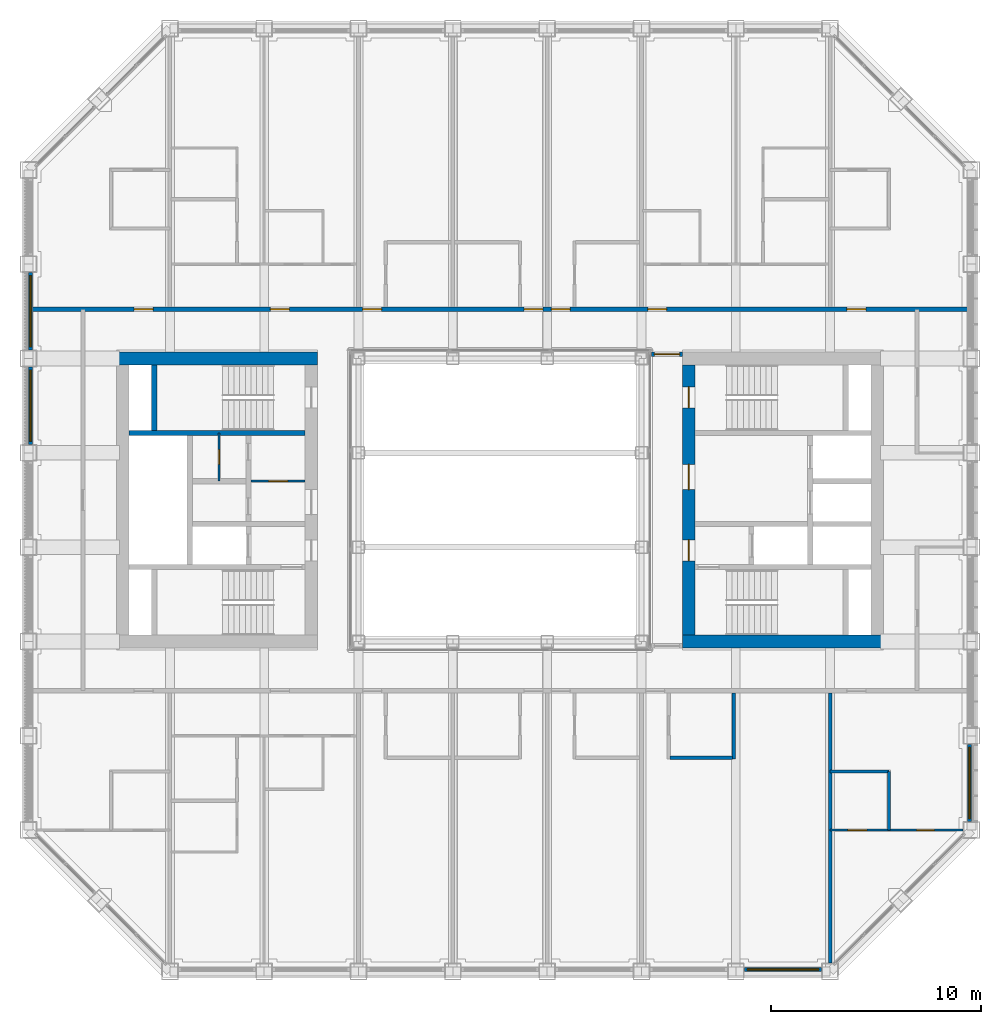
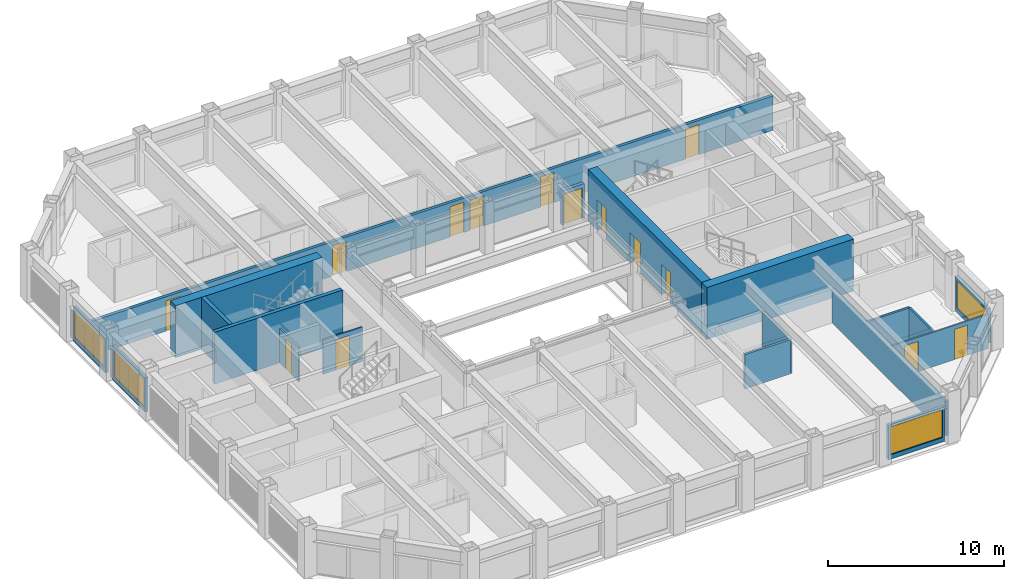
# One storey, part 12 of 18: 19 walls, 15 doors, 4 windows, 19 openings.
"""IFC4 building model written with IfcOpenShell, lengths in metres."""

from ifc_helpers import new_model, si_unit, direction, frame, frame_2d, origin, place, context, subcontext, project, spatial, rectangle, extrude, material, layer, layer_set, type_object, element, fill, save


model = new_model("IFC4")

# Units and contexts
model_context = context("Model", 3, precision=1e-05, world=origin(), true_north=direction((0.0, 1.0)))
body_context = subcontext(model_context, "Body", "Model", "MODEL_VIEW")
ifc_project = project(units=[si_unit("LENGTHUNIT", "METRE"), si_unit("AREAUNIT", "SQUARE_METRE"), si_unit("VOLUMEUNIT", "CUBIC_METRE"), si_unit("PLANEANGLEUNIT", "RADIAN"), si_unit("MASSUNIT", "GRAM", prefix="KILO")], contexts=[model_context])

# Site, building, storey
site_placement = place(None, origin())
site = spatial("IfcSite", under=ifc_project, at=site_placement, CompositionType="ELEMENT")
building_placement = place(site_placement, origin())
building = spatial("IfcBuilding", under=site, at=building_placement, Name="Msasa Ring Tower", CompositionType="ELEMENT")
storey_placement = place(building_placement, frame((0.0, 0.0, 186.800048828125)))
storey = spatial("IfcBuildingStorey", under=building, at=storey_placement, Name="L49", CompositionType="ELEMENT", Elevation=186.800048828125)

# Wall
ifc_material_1 = material(Name="Concrete C60/75", Category="concrete")
ifc_layer_1 = layer(ifc_material_1, 0.60009765625)
ifc_layer_set_1 = layer_set([ifc_layer_1], Name="CW2 CORE WALL 600")
wall_type_1 = type_object("IfcWallType", Name="CW2 CORE WALL 600", PredefinedType="SHEAR", material=ifc_layer_set_1)
wall_1_placement = place(storey_placement, frame((8.699951171875, -6.75, 0.0), z_axis=(0.0, 0.0, 1.0), x_axis=(1.0, 0.0, 0.0)))
element("IfcWall", 1, at=wall_1_placement, inside=storey, type_object=wall_type_1, Name="E core wall S L49", PredefinedType="SHEAR", context=body_context, shape_type="SweptSolid", body=[
    extrude(rectangle(XDim=9.60009765625, YDim=0.60009765625, at=frame_2d((4.800048828125, 0.0))), origin(), (0.0, 0.0, 1.0), 3.599853515625),
])

# Wall, openings, doors
wall_2_placement = place(storey_placement, frame((9.0, -6.449951171875, 0.0), z_axis=(0.0, 0.0, 1.0), x_axis=(0.0, 1.0, 0.0)))
wall_2 = element("IfcWall", 2, at=wall_2_placement, inside=storey, type_object=wall_type_1, Name="E core wall W L49", PredefinedType="SHEAR", context=body_context, shape_type="SweptSolid", body=[
    extrude(rectangle(XDim=12.89990234375, YDim=0.60009765625, at=frame_2d((6.449951171875, 0.0))), origin(), (0.0, 0.0, 1.0), 3.599853515625),
])
opening_1_placement = place(wall_2_placement, frame((3.550048828125, 0.0, 0.0)))
opening_1 = element("IfcOpeningElement", 3, at=opening_1_placement, cuts=wall_2, Name="Opening HG-035", PredefinedType="OPENING", context=body_context, shape_type="SweptSolid", body=[
    extrude(rectangle(XDim=1.0, YDim=2.10009765625, at=frame_2d((0.5, 1.050048828125))), frame((0.0, 0.31005859375, 0.0), z_axis=(0.0, -1.0, 0.0), x_axis=(1.0, 0.0, 0.0)), (0.0, 0.0, 1.0), 0.6201171875),
])
opening_2_placement = place(wall_2_placement, frame((6.949951171875, 0.0, 0.0)))
opening_2 = element("IfcOpeningElement", 4, at=opening_2_placement, cuts=wall_2, Name="Opening HG-029", PredefinedType="OPENING", context=body_context, shape_type="SweptSolid", body=[
    extrude(rectangle(XDim=1.199951171875, YDim=2.10009765625, at=frame_2d((0.60009765625, 1.050048828125))), frame((0.0, 0.31005859375, 0.0), z_axis=(0.0, -1.0, 0.0), x_axis=(1.0, 0.0, 0.0)), (0.0, 0.0, 1.0), 0.6201171875),
])
opening_3_placement = place(wall_2_placement, frame((10.85009765625, 0.0, 0.0)))
opening_3 = element("IfcOpeningElement", 5, at=opening_3_placement, cuts=wall_2, Name="Opening HG-026", PredefinedType="OPENING", context=body_context, shape_type="SweptSolid", body=[
    extrude(rectangle(XDim=1.0, YDim=2.10009765625, at=frame_2d((0.5, 1.050048828125))), frame((0.0, 0.31005859375, 0.0), z_axis=(0.0, -1.0, 0.0), x_axis=(1.0, 0.0, 0.0)), (0.0, 0.0, 1.0), 0.6201171875),
])
ifc_material_2 = material(Name="Timber door leaf in a steel frame", Category="steel")
door_type_1 = type_object("IfcDoorType", Name="D4 LOBBY DOOR 1000x2100", OperationType="SINGLE_SWING_LEFT", PredefinedType="DOOR", material=ifc_material_2)
door_1_placement = place(opening_1_placement, origin())
door_1 = element("IfcDoor", 6, at=door_1_placement, inside=storey, type_object=door_type_1, Name="Door L49-EFFL", OperationType="SINGLE_SWING_LEFT", OverallHeight=2.10009765625, OverallWidth=1.0, PredefinedType="DOOR", context=body_context, shape_type="SweptSolid", body=[
    extrude(rectangle(XDim=1.0, YDim=2.10009765625, at=frame_2d((0.5, 1.050048828125))), frame((0.0, 0.02490234375, 0.0), z_axis=(0.0, -1.0, 0.0), x_axis=(1.0, 0.0, 0.0)), (0.0, 0.0, 1.0), 0.050048828125),
])
fill(opening_1, door_1)
ifc_material_3 = material(Name="Timber door leaf in a steel frame", Category="steel")
door_type_2 = type_object("IfcDoorType", Name="D5 WIDE LOBBY DOOR 1200x2100", OperationType="SINGLE_SWING_LEFT", PredefinedType="DOOR", material=ifc_material_3)
door_2_placement = place(opening_2_placement, origin())
door_2 = element("IfcDoor", 7, at=door_2_placement, inside=storey, type_object=door_type_2, Name="Door L49-ELL", OperationType="SINGLE_SWING_RIGHT", OverallHeight=2.10009765625, OverallWidth=1.199951171875, PredefinedType="DOOR", context=body_context, shape_type="SweptSolid", body=[
    extrude(rectangle(XDim=1.199951171875, YDim=2.10009765625, at=frame_2d((0.60009765625, 1.050048828125))), frame((0.0, 0.02490234375, 0.0), z_axis=(0.0, -1.0, 0.0), x_axis=(1.0, 0.0, 0.0)), (0.0, 0.0, 1.0), 0.050048828125),
])
fill(opening_2, door_2)
ifc_material_4 = material(Name="Timber door leaf in a steel frame", Category="steel")
door_type_3 = type_object("IfcDoorType", Name="D6 STAIR DOOR 1000x2100", OperationType="SINGLE_SWING_LEFT", PredefinedType="DOOR", material=ifc_material_4)
door_3_placement = place(opening_3_placement, origin())
door_3 = element("IfcDoor", 8, at=door_3_placement, inside=storey, type_object=door_type_3, Name="Door L49-ESTB", OperationType="SINGLE_SWING_RIGHT", OverallHeight=2.10009765625, OverallWidth=1.0, PredefinedType="DOOR", context=body_context, shape_type="SweptSolid", body=[
    extrude(rectangle(XDim=1.0, YDim=2.10009765625, at=frame_2d((0.5, 1.050048828125))), frame((0.0, 0.02490234375, 0.0), z_axis=(0.0, -1.0, 0.0), x_axis=(1.0, 0.0, 0.0)), (0.0, 0.0, 1.0), 0.050048828125),
])
fill(opening_3, door_3)

# Walls
wall_3_placement = place(storey_placement, frame((-8.699951171875, 6.75, 0.0), z_axis=(0.0, 0.0, 1.0), x_axis=(-1.0, 0.0, 0.0)))
element("IfcWall", 9, at=wall_3_placement, inside=storey, type_object=wall_type_1, Name="W core wall N L49", PredefinedType="SHEAR", context=body_context, shape_type="SweptSolid", body=[
    extrude(rectangle(XDim=9.60009765625, YDim=0.60009765625, at=frame_2d((4.800048828125, 0.0))), origin(), (0.0, 0.0, 1.0), 3.599853515625),
])
ifc_material_5 = material(Name="Concrete C60/75", Category="concrete")
ifc_layer_2 = layer(ifc_material_5, 0.25)
ifc_layer_set_2 = layer_set([ifc_layer_2], Name="CW4 CORE INNER WALL 250")
wall_type_2 = type_object("IfcWallType", Name="CW4 CORE INNER WALL 250", PredefinedType="SHEAR", material=ifc_layer_set_2)
wall_4_placement = place(storey_placement, frame((-9.300048828125, 3.199951171875, 0.0), z_axis=(0.0, 0.0, 1.0), x_axis=(-1.0, 0.0, 0.0)))
element("IfcWall", 10, at=wall_4_placement, inside=storey, type_object=wall_type_2, Name="W core wall STAIRB L49", PredefinedType="SHEAR", context=body_context, shape_type="SweptSolid", body=[
    extrude(rectangle(XDim=8.39990234375, YDim=0.25, at=frame_2d((4.199951171875, 0.0))), origin(), (0.0, 0.0, 1.0), 3.599853515625),
])
wall_5_placement = place(storey_placement, frame((-16.5, 3.324951171875, 0.0), z_axis=(0.0, 0.0, 1.0), x_axis=(0.0, 1.0, 0.0)))
element("IfcWall", 11, at=wall_5_placement, inside=storey, type_object=wall_type_2, Name="W core wall RISERB L49", PredefinedType="SHEAR", context=body_context, shape_type="SweptSolid", body=[
    extrude(rectangle(XDim=3.125, YDim=0.25, at=frame_2d((1.5625, 0.0))), origin(), (0.0, 0.0, 1.0), 3.599853515625),
])

# Wall, opening, window
ifc_material_6 = material(Name="Terracotta rainscreen on blockwork", Category="masonry")
ifc_layer_3 = layer(ifc_material_6, 0.199951171875)
ifc_layer_set_3 = layer_set([ifc_layer_3], Name="FW1 TERRACOTTA-LINED INFILL BAY WALL 200")
wall_type_3 = type_object("IfcWallType", Name="FW1 TERRACOTTA-LINED INFILL BAY WALL 200", PredefinedType="SOLIDWALL", material=ifc_layer_set_3)
wall_6_placement = place(storey_placement, frame((11.655029296875, -22.39990234375, 0.0), z_axis=(0.0, 0.0, 1.0), x_axis=(1.0, 0.0, 0.0)))
wall_6 = element("IfcWall", 12, at=wall_6_placement, inside=storey, type_object=wall_type_3, Name="Infill bay wall S L49 06", PredefinedType="SOLIDWALL", context=body_context, shape_type="SweptSolid", body=[
    extrude(rectangle(XDim=3.68994140625, YDim=0.199951171875, at=frame_2d((1.844970703125, 0.0))), origin(), (0.0, 0.0, 1.0), 2.37890625),
])
opening_4_placement = place(wall_6_placement, frame((0.14501953125, 0.0, 0.300048828125)))
opening_4 = element("IfcOpeningElement", 13, at=opening_4_placement, cuts=wall_6, Name="Opening WN7", PredefinedType="OPENING", context=body_context, shape_type="SweptSolid", body=[
    extrude(rectangle(XDim=3.39990234375, YDim=1.928955078125, at=frame_2d((1.699951171875, 0.96435546875))), frame((0.0, 0.10986328125, 0.0), z_axis=(0.0, -1.0, 0.0), x_axis=(1.0, 0.0, 0.0)), (0.0, 0.0, 1.0), 0.219970703125),
])
ifc_material_7 = material(Name="Aluminium frame with clear glass", Category="aluminium")
window_type = type_object("IfcWindowType", Name="WN7 GUEST ROOM WINDOW 3400x1929", PartitioningType="SINGLE_PANEL", PredefinedType="WINDOW", material=ifc_material_7)
window_1_placement = place(opening_4_placement, origin())
window_1 = element("IfcWindow", 14, at=window_1_placement, inside=storey, type_object=window_type, Name="Window S L49 06", OverallHeight=1.928955078125, OverallWidth=3.39990234375, PartitioningType="SINGLE_PANEL", PredefinedType="WINDOW", context=body_context, shape_type="SweptSolid", body=[
    extrude(rectangle(XDim=3.39990234375, YDim=1.928955078125, at=frame_2d((1.699951171875, 0.96435546875))), frame((0.0, 0.030029296875, 0.0), z_axis=(0.0, -1.0, 0.0), x_axis=(1.0, 0.0, 0.0)), (0.0, 0.0, 1.0), 0.06005859375),
])
fill(opening_4, window_1)

wall_7_placement = place(storey_placement, frame((22.39990234375, -15.344970703125, 0.0), z_axis=(0.0, 0.0, 1.0), x_axis=(0.0, 1.0, 0.0)))
wall_7 = element("IfcWall", 15, at=wall_7_placement, inside=storey, type_object=wall_type_3, Name="Infill bay wall E L49 09", PredefinedType="SOLIDWALL", context=body_context, shape_type="SweptSolid", body=[
    extrude(rectangle(XDim=3.68994140625, YDim=0.199951171875, at=frame_2d((1.844970703125, 0.0))), origin(), (0.0, 0.0, 1.0), 2.37890625),
])
opening_5_placement = place(wall_7_placement, frame((0.14501953125, 0.0, 0.300048828125)))
opening_5 = element("IfcOpeningElement", 16, at=opening_5_placement, cuts=wall_7, Name="Opening WN7", PredefinedType="OPENING", context=body_context, shape_type="SweptSolid", body=[
    extrude(rectangle(XDim=3.39990234375, YDim=1.928955078125, at=frame_2d((1.699951171875, 0.96435546875))), frame((0.0, 0.10986328125, 0.0), z_axis=(0.0, -1.0, 0.0), x_axis=(1.0, 0.0, 0.0)), (0.0, 0.0, 1.0), 0.219970703125),
])
window_2_placement = place(opening_5_placement, origin())
window_2 = element("IfcWindow", 17, at=window_2_placement, inside=storey, type_object=window_type, Name="Window E L49 09", OverallHeight=1.928955078125, OverallWidth=3.39990234375, PartitioningType="SINGLE_PANEL", PredefinedType="WINDOW", context=body_context, shape_type="SweptSolid", body=[
    extrude(rectangle(XDim=3.39990234375, YDim=1.928955078125, at=frame_2d((1.699951171875, 0.96435546875))), frame((0.0, 0.030029296875, 0.0), z_axis=(0.0, -1.0, 0.0), x_axis=(1.0, 0.0, 0.0)), (0.0, 0.0, 1.0), 0.06005859375),
])
fill(opening_5, window_2)

wall_8_placement = place(storey_placement, frame((-22.39990234375, 2.655029296875, 0.0), z_axis=(0.0, 0.0, 1.0), x_axis=(0.0, 1.0, 0.0)))
wall_8 = element("IfcWall", 18, at=wall_8_placement, inside=storey, type_object=wall_type_3, Name="Infill bay wall W L49 31", PredefinedType="SOLIDWALL", context=body_context, shape_type="SweptSolid", body=[
    extrude(rectangle(XDim=3.68994140625, YDim=0.199951171875, at=frame_2d((1.844970703125, 0.0))), origin(), (0.0, 0.0, 1.0), 2.37890625),
])
opening_6_placement = place(wall_8_placement, frame((0.14501953125, 0.0, 0.300048828125)))
opening_6 = element("IfcOpeningElement", 19, at=opening_6_placement, cuts=wall_8, Name="Opening WN7", PredefinedType="OPENING", context=body_context, shape_type="SweptSolid", body=[
    extrude(rectangle(XDim=3.39990234375, YDim=1.928955078125, at=frame_2d((1.699951171875, 0.96435546875))), frame((0.0, 0.10986328125, 0.0), z_axis=(0.0, -1.0, 0.0), x_axis=(1.0, 0.0, 0.0)), (0.0, 0.0, 1.0), 0.219970703125),
])
window_3_placement = place(opening_6_placement, origin())
window_3 = element("IfcWindow", 20, at=window_3_placement, inside=storey, type_object=window_type, Name="Window W L49 31", OverallHeight=1.928955078125, OverallWidth=3.39990234375, PartitioningType="SINGLE_PANEL", PredefinedType="WINDOW", context=body_context, shape_type="SweptSolid", body=[
    extrude(rectangle(XDim=3.39990234375, YDim=1.928955078125, at=frame_2d((1.699951171875, 0.96435546875))), frame((0.0, 0.030029296875, 0.0), z_axis=(0.0, -1.0, 0.0), x_axis=(1.0, 0.0, 0.0)), (0.0, 0.0, 1.0), 0.06005859375),
])
fill(opening_6, window_3)

wall_9_placement = place(storey_placement, frame((-22.39990234375, 7.155029296875, 0.0), z_axis=(0.0, 0.0, 1.0), x_axis=(0.0, 1.0, 0.0)))
wall_9 = element("IfcWall", 21, at=wall_9_placement, inside=storey, type_object=wall_type_3, Name="Infill bay wall W L49 32", PredefinedType="SOLIDWALL", context=body_context, shape_type="SweptSolid", body=[
    extrude(rectangle(XDim=3.68994140625, YDim=0.199951171875, at=frame_2d((1.844970703125, 0.0))), origin(), (0.0, 0.0, 1.0), 2.37890625),
])
opening_7_placement = place(wall_9_placement, frame((0.14501953125, 0.0, 0.300048828125)))
opening_7 = element("IfcOpeningElement", 22, at=opening_7_placement, cuts=wall_9, Name="Opening WN7", PredefinedType="OPENING", context=body_context, shape_type="SweptSolid", body=[
    extrude(rectangle(XDim=3.39990234375, YDim=1.928955078125, at=frame_2d((1.699951171875, 0.96435546875))), frame((0.0, 0.10986328125, 0.0), z_axis=(0.0, -1.0, 0.0), x_axis=(1.0, 0.0, 0.0)), (0.0, 0.0, 1.0), 0.219970703125),
])
window_4_placement = place(opening_7_placement, origin())
window_4 = element("IfcWindow", 23, at=window_4_placement, inside=storey, type_object=window_type, Name="Window W L49 32", OverallHeight=1.928955078125, OverallWidth=3.39990234375, PartitioningType="SINGLE_PANEL", PredefinedType="WINDOW", context=body_context, shape_type="SweptSolid", body=[
    extrude(rectangle(XDim=3.39990234375, YDim=1.928955078125, at=frame_2d((1.699951171875, 0.96435546875))), frame((0.0, 0.030029296875, 0.0), z_axis=(0.0, -1.0, 0.0), x_axis=(1.0, 0.0, 0.0)), (0.0, 0.0, 1.0), 0.06005859375),
])
fill(opening_7, window_4)

# Wall, opening, door
ifc_material_8 = material(Name="Concrete blockwork", Category="masonry")
ifc_layer_4 = layer(ifc_material_8, 0.199951171875)
ifc_layer_set_4 = layer_set([ifc_layer_4], Name="PT1 CORRIDOR WALL 200")
wall_type_4 = type_object("IfcWallType", Name="PT1 CORRIDOR WALL 200", PredefinedType="PARTITIONING", material=ifc_layer_set_4)
wall_10_placement = place(storey_placement, frame((7.22998046875, 6.949951171875, 0.0), z_axis=(0.0, 0.0, 1.0), x_axis=(1.0, 0.0, 0.0)))
wall_10 = element("IfcWall", 24, at=wall_10_placement, inside=storey, type_object=wall_type_4, Name="Corridor wall L49-SDEN", PredefinedType="PARTITIONING", context=body_context, shape_type="SweptSolid", body=[
    extrude(rectangle(XDim=1.469970703125, YDim=0.199951171875, at=frame_2d((0.73486328125, 0.0))), origin(), (0.0, 0.0, 1.0), 2.37890625),
])
opening_8_placement = place(wall_10_placement, frame((0.135009765625, 0.0, 0.0)))
opening_8 = element("IfcOpeningElement", 25, at=opening_8_placement, cuts=wall_10, Name="Opening HG-023", PredefinedType="OPENING", context=body_context, shape_type="SweptSolid", body=[
    extrude(rectangle(XDim=1.199951171875, YDim=2.10009765625, at=frame_2d((0.60009765625, 1.050048828125))), frame((0.0, 0.10986328125, 0.0), z_axis=(0.0, -1.0, 0.0), x_axis=(1.0, 0.0, 0.0)), (0.0, 0.0, 1.0), 0.219970703125),
])
ifc_material_9 = material(Name="Timber door leaf in a steel frame", Category="steel")
door_type_4 = type_object("IfcDoorType", Name="D25 CORRIDOR PAIR OF SMOKE DOORS 1200x2100", OperationType="DOUBLE_DOOR_DOUBLE_SWING", PredefinedType="DOOR", material=ifc_material_9)
door_4_placement = place(opening_8_placement, origin())
door_4 = element("IfcDoor", 26, at=door_4_placement, inside=storey, type_object=door_type_4, Name="Door L49-SDEN", OperationType="DOUBLE_DOOR_DOUBLE_SWING", OverallHeight=2.10009765625, OverallWidth=1.199951171875, PredefinedType="DOOR", context=body_context, shape_type="SweptSolid", body=[
    extrude(rectangle(XDim=1.199951171875, YDim=2.10009765625, at=frame_2d((0.60009765625, 1.050048828125))), frame((0.0, 0.02490234375, 0.0), z_axis=(0.0, -1.0, 0.0), x_axis=(1.0, 0.0, 0.0)), (0.0, 0.0, 1.0), 0.050048828125),
])
fill(opening_8, door_4)

# Wall, openings, doors
wall_11_placement = place(storey_placement, frame((-22.300048828125, 9.10009765625, 0.0), z_axis=(0.0, 0.0, 1.0), x_axis=(1.0, 0.0, 0.0)))
wall_11 = element("IfcWall", 27, at=wall_11_placement, inside=storey, type_object=wall_type_4, Name="Corridor wall L49-CORRN0", PredefinedType="PARTITIONING", context=body_context, shape_type="SweptSolid", body=[
    extrude(rectangle(XDim=44.60009765625, YDim=0.199951171875, at=frame_2d((22.300048828125, 0.0))), origin(), (0.0, 0.0, 1.0), 2.37890625),
])
opening_9_placement = place(wall_11_placement, frame((11.35009765625, 0.0, 0.0)))
opening_9 = element("IfcOpeningElement", 28, at=opening_9_placement, cuts=wall_11, Name="Opening HG-017", PredefinedType="OPENING", context=body_context, shape_type="SweptSolid", body=[
    extrude(rectangle(XDim=0.89990234375, YDim=2.10009765625, at=frame_2d((0.449951171875, 1.050048828125))), frame((0.0, 0.10986328125, 0.0), z_axis=(0.0, -1.0, 0.0), x_axis=(1.0, 0.0, 0.0)), (0.0, 0.0, 1.0), 0.219970703125),
])
opening_10_placement = place(wall_11_placement, frame((15.75, 0.0, 0.0)))
opening_10 = element("IfcOpeningElement", 29, at=opening_10_placement, cuts=wall_11, Name="Opening HG-018", PredefinedType="OPENING", context=body_context, shape_type="SweptSolid", body=[
    extrude(rectangle(XDim=0.89990234375, YDim=2.10009765625, at=frame_2d((0.449951171875, 1.050048828125))), frame((0.0, 0.10986328125, 0.0), z_axis=(0.0, -1.0, 0.0), x_axis=(1.0, 0.0, 0.0)), (0.0, 0.0, 1.0), 0.219970703125),
])
opening_11_placement = place(wall_11_placement, frame((23.449951171875, 0.0, 0.0)))
opening_11 = element("IfcOpeningElement", 30, at=opening_11_placement, cuts=wall_11, Name="Opening HG-019", PredefinedType="OPENING", context=body_context, shape_type="SweptSolid", body=[
    extrude(rectangle(XDim=0.89990234375, YDim=2.10009765625, at=frame_2d((0.449951171875, 1.050048828125))), frame((0.0, 0.10986328125, 0.0), z_axis=(0.0, -1.0, 0.0), x_axis=(1.0, 0.0, 0.0)), (0.0, 0.0, 1.0), 0.219970703125),
])
opening_12_placement = place(wall_11_placement, frame((24.75, 0.0, 0.0)))
opening_12 = element("IfcOpeningElement", 31, at=opening_12_placement, cuts=wall_11, Name="Opening HG-020", PredefinedType="OPENING", context=body_context, shape_type="SweptSolid", body=[
    extrude(rectangle(XDim=0.89990234375, YDim=2.10009765625, at=frame_2d((0.449951171875, 1.050048828125))), frame((0.0, 0.10986328125, 0.0), z_axis=(0.0, -1.0, 0.0), x_axis=(1.0, 0.0, 0.0)), (0.0, 0.0, 1.0), 0.219970703125),
])
opening_13_placement = place(wall_11_placement, frame((29.35009765625, 0.0, 0.0)))
opening_13 = element("IfcOpeningElement", 32, at=opening_13_placement, cuts=wall_11, Name="Opening HG-021", PredefinedType="OPENING", context=body_context, shape_type="SweptSolid", body=[
    extrude(rectangle(XDim=0.89990234375, YDim=2.10009765625, at=frame_2d((0.449951171875, 1.050048828125))), frame((0.0, 0.10986328125, 0.0), z_axis=(0.0, -1.0, 0.0), x_axis=(1.0, 0.0, 0.0)), (0.0, 0.0, 1.0), 0.219970703125),
])
opening_14_placement = place(wall_11_placement, frame((38.85009765625, 0.0, 0.0)))
opening_14 = element("IfcOpeningElement", 33, at=opening_14_placement, cuts=wall_11, Name="Opening HG-022", PredefinedType="OPENING", context=body_context, shape_type="SweptSolid", body=[
    extrude(rectangle(XDim=0.89990234375, YDim=2.10009765625, at=frame_2d((0.449951171875, 1.050048828125))), frame((0.0, 0.10986328125, 0.0), z_axis=(0.0, -1.0, 0.0), x_axis=(1.0, 0.0, 0.0)), (0.0, 0.0, 1.0), 0.219970703125),
])
opening_15_placement = place(wall_11_placement, frame((4.85009765625, 0.0, 0.0)))
opening_15 = element("IfcOpeningElement", 34, at=opening_15_placement, cuts=wall_11, Name="Opening HG-016", PredefinedType="OPENING", context=body_context, shape_type="SweptSolid", body=[
    extrude(rectangle(XDim=0.89990234375, YDim=2.10009765625, at=frame_2d((0.449951171875, 1.050048828125))), frame((0.0, 0.10986328125, 0.0), z_axis=(0.0, -1.0, 0.0), x_axis=(1.0, 0.0, 0.0)), (0.0, 0.0, 1.0), 0.219970703125),
])
ifc_material_10 = material(Name="Timber door leaf in a steel frame", Category="steel")
door_type_5 = type_object("IfcDoorType", Name="D1 SINGLE DOOR TO CORRIDOR 900x2100", OperationType="SINGLE_SWING_LEFT", PredefinedType="DOOR", material=ifc_material_10)
door_5_placement = place(opening_10_placement, origin())
door_5 = element("IfcDoor", 35, at=door_5_placement, inside=storey, type_object=door_type_5, Name="Door L49-GN01", OperationType="SINGLE_SWING_LEFT", OverallHeight=2.10009765625, OverallWidth=0.89990234375, PredefinedType="DOOR", context=body_context, shape_type="SweptSolid", body=[
    extrude(rectangle(XDim=0.89990234375, YDim=2.10009765625, at=frame_2d((0.449951171875, 1.050048828125))), frame((0.0, 0.02490234375, 0.0), z_axis=(0.0, -1.0, 0.0), x_axis=(1.0, 0.0, 0.0)), (0.0, 0.0, 1.0), 0.050048828125),
])
fill(opening_10, door_5)
door_6_placement = place(opening_11_placement, origin())
door_6 = element("IfcDoor", 36, at=door_6_placement, inside=storey, type_object=door_type_5, Name="Door L49-GN02", OperationType="SINGLE_SWING_RIGHT", OverallHeight=2.10009765625, OverallWidth=0.89990234375, PredefinedType="DOOR", context=body_context, shape_type="SweptSolid", body=[
    extrude(rectangle(XDim=0.89990234375, YDim=2.10009765625, at=frame_2d((0.449951171875, 1.050048828125))), frame((0.0, 0.02490234375, 0.0), z_axis=(0.0, -1.0, 0.0), x_axis=(1.0, 0.0, 0.0)), (0.0, 0.0, 1.0), 0.050048828125),
])
fill(opening_11, door_6)
door_7_placement = place(opening_12_placement, origin())
door_7 = element("IfcDoor", 37, at=door_7_placement, inside=storey, type_object=door_type_5, Name="Door L49-GN03", OperationType="SINGLE_SWING_RIGHT", OverallHeight=2.10009765625, OverallWidth=0.89990234375, PredefinedType="DOOR", context=body_context, shape_type="SweptSolid", body=[
    extrude(rectangle(XDim=0.89990234375, YDim=2.10009765625, at=frame_2d((0.449951171875, 1.050048828125))), frame((0.0, 0.02490234375, 0.0), z_axis=(0.0, -1.0, 0.0), x_axis=(1.0, 0.0, 0.0)), (0.0, 0.0, 1.0), 0.050048828125),
])
fill(opening_12, door_7)
ifc_material_11 = material(Name="Timber door leaf in a steel frame", Category="steel")
door_type_6 = type_object("IfcDoorType", Name="D2 ENTRANCE DOOR 900x2100", OperationType="SINGLE_SWING_LEFT", PredefinedType="DOOR", material=ifc_material_11)
door_8_placement = place(opening_9_placement, origin())
door_8 = element("IfcDoor", 38, at=door_8_placement, inside=storey, type_object=door_type_6, Name="Door L49-GN00", OperationType="SINGLE_SWING_LEFT", OverallHeight=2.10009765625, OverallWidth=0.89990234375, PredefinedType="DOOR", context=body_context, shape_type="SweptSolid", body=[
    extrude(rectangle(XDim=0.89990234375, YDim=2.10009765625, at=frame_2d((0.449951171875, 1.050048828125))), frame((0.0, 0.02490234375, 0.0), z_axis=(0.0, -1.0, 0.0), x_axis=(1.0, 0.0, 0.0)), (0.0, 0.0, 1.0), 0.050048828125),
])
fill(opening_9, door_8)
door_9_placement = place(opening_13_placement, origin())
door_9 = element("IfcDoor", 39, at=door_9_placement, inside=storey, type_object=door_type_6, Name="Door L49-GN04", OperationType="SINGLE_SWING_RIGHT", OverallHeight=2.10009765625, OverallWidth=0.89990234375, PredefinedType="DOOR", context=body_context, shape_type="SweptSolid", body=[
    extrude(rectangle(XDim=0.89990234375, YDim=2.10009765625, at=frame_2d((0.449951171875, 1.050048828125))), frame((0.0, 0.02490234375, 0.0), z_axis=(0.0, -1.0, 0.0), x_axis=(1.0, 0.0, 0.0)), (0.0, 0.0, 1.0), 0.050048828125),
])
fill(opening_13, door_9)
door_10_placement = place(opening_14_placement, origin())
door_10 = element("IfcDoor", 40, at=door_10_placement, inside=storey, type_object=door_type_6, Name="Door L49-CSNE", OperationType="SINGLE_SWING_RIGHT", OverallHeight=2.10009765625, OverallWidth=0.89990234375, PredefinedType="DOOR", context=body_context, shape_type="SweptSolid", body=[
    extrude(rectangle(XDim=0.89990234375, YDim=2.10009765625, at=frame_2d((0.449951171875, 1.050048828125))), frame((0.0, 0.02490234375, 0.0), z_axis=(0.0, -1.0, 0.0), x_axis=(1.0, 0.0, 0.0)), (0.0, 0.0, 1.0), 0.050048828125),
])
fill(opening_14, door_10)
door_11_placement = place(opening_15_placement, origin())
door_11 = element("IfcDoor", 41, at=door_11_placement, inside=storey, type_object=door_type_6, Name="Door L49-CSNW", OperationType="SINGLE_SWING_LEFT", OverallHeight=2.10009765625, OverallWidth=0.89990234375, PredefinedType="DOOR", context=body_context, shape_type="SweptSolid", body=[
    extrude(rectangle(XDim=0.89990234375, YDim=2.10009765625, at=frame_2d((0.449951171875, 1.050048828125))), frame((0.0, 0.02490234375, 0.0), z_axis=(0.0, -1.0, 0.0), x_axis=(1.0, 0.0, 0.0)), (0.0, 0.0, 1.0), 0.050048828125),
])
fill(opening_15, door_11)

ifc_material_12 = material(Name="Gypsum board on steel studs", Category="steel")
ifc_layer_5 = layer(ifc_material_12, 0.10009765625)
ifc_layer_set_5 = layer_set([ifc_layer_5], Name="PT2 STUD PARTITION 100")
wall_type_5 = type_object("IfcWallType", Name="PT2 STUD PARTITION 100", PredefinedType="PARTITIONING", material=ifc_layer_set_5)
wall_12_placement = place(storey_placement, frame((15.75, -15.75, 0.0), z_axis=(0.0, 0.0, 1.0), x_axis=(1.0, 0.0, 0.0)))
wall_12 = element("IfcWall", 42, at=wall_12_placement, inside=storey, type_object=wall_type_5, Name="Partition L49-CSSEX", PredefinedType="PARTITIONING", context=body_context, shape_type="SweptSolid", body=[
    extrude(rectangle(XDim=6.35009765625, YDim=0.10009765625, at=frame_2d((3.175048828125, 0.0))), origin(), (0.0, 0.0, 1.0), 2.37890625),
])
opening_16_placement = place(wall_12_placement, frame((4.125, 0.0, 0.0)))
opening_16 = element("IfcOpeningElement", 43, at=opening_16_placement, cuts=wall_12, Name="Opening HG-059", PredefinedType="OPENING", context=body_context, shape_type="SweptSolid", body=[
    extrude(rectangle(XDim=0.85009765625, YDim=2.10009765625, at=frame_2d((0.425048828125, 1.050048828125))), frame((0.0, 0.06005859375, 0.0), z_axis=(0.0, -1.0, 0.0), x_axis=(1.0, 0.0, 0.0)), (0.0, 0.0, 1.0), 0.1201171875),
])
opening_17_placement = place(wall_12_placement, frame((0.85009765625, 0.0, 0.0)))
opening_17 = element("IfcOpeningElement", 44, at=opening_17_placement, cuts=wall_12, Name="Opening HG-058", PredefinedType="OPENING", context=body_context, shape_type="SweptSolid", body=[
    extrude(rectangle(XDim=0.89990234375, YDim=2.10009765625, at=frame_2d((0.449951171875, 1.050048828125))), frame((0.0, 0.06005859375, 0.0), z_axis=(0.0, -1.0, 0.0), x_axis=(1.0, 0.0, 0.0)), (0.0, 0.0, 1.0), 0.1201171875),
])
ifc_material_13 = material(Name="Timber door leaf in a steel frame", Category="steel")
door_type_7 = type_object("IfcDoorType", Name="D14 BEDROOM DOOR 850x2100", OperationType="SINGLE_SWING_LEFT", PredefinedType="DOOR", material=ifc_material_13)
door_12_placement = place(opening_16_placement, origin())
door_12 = element("IfcDoor", 45, at=door_12_placement, inside=storey, type_object=door_type_7, Name="Door L49-CSSER1", OperationType="SINGLE_SWING_RIGHT", OverallHeight=2.10009765625, OverallWidth=0.85009765625, PredefinedType="DOOR", context=body_context, shape_type="SweptSolid", body=[
    extrude(rectangle(XDim=0.85009765625, YDim=2.10009765625, at=frame_2d((0.425048828125, 1.050048828125))), frame((0.0, 0.02490234375, 0.0), z_axis=(0.0, -1.0, 0.0), x_axis=(1.0, 0.0, 0.0)), (0.0, 0.0, 1.0), 0.050048828125),
])
fill(opening_16, door_12)
ifc_material_14 = material(Name="Timber door leaf in a steel frame", Category="steel")
door_type_8 = type_object("IfcDoorType", Name="D3 BATHROOM DOOR 900x2100", OperationType="SINGLE_SWING_LEFT", PredefinedType="DOOR", material=ifc_material_14)
door_13_placement = place(opening_17_placement, origin())
door_13 = element("IfcDoor", 46, at=door_13_placement, inside=storey, type_object=door_type_8, Name="Door L49-CSSEB1", OperationType="SINGLE_SWING_LEFT", OverallHeight=2.10009765625, OverallWidth=0.89990234375, PredefinedType="DOOR", context=body_context, shape_type="SweptSolid", body=[
    extrude(rectangle(XDim=0.89990234375, YDim=2.10009765625, at=frame_2d((0.449951171875, 1.050048828125))), frame((0.0, 0.02490234375, 0.0), z_axis=(0.0, -1.0, 0.0), x_axis=(1.0, 0.0, 0.0)), (0.0, 0.0, 1.0), 0.050048828125),
])
fill(opening_17, door_13)

# Wall, opening, door
wall_13_placement = place(storey_placement, frame((-11.875, 0.89990234375, 0.0), z_axis=(0.0, 0.0, 1.0), x_axis=(1.0, 0.0, 0.0)))
wall_13 = element("IfcWall", 47, at=wall_13_placement, inside=storey, type_object=wall_type_5, Name="Partition L49-WCP", PredefinedType="PARTITIONING", context=body_context, shape_type="SweptSolid", body=[
    extrude(rectangle(XDim=2.574951171875, YDim=0.10009765625, at=frame_2d((1.28759765625, 0.0))), origin(), (0.0, 0.0, 1.0), 2.37890625),
])
opening_18_placement = place(wall_13_placement, frame((0.83740234375, 0.0, 0.0)))
opening_18 = element("IfcOpeningElement", 48, at=opening_18_placement, cuts=wall_13, Name="Opening HG-030", PredefinedType="OPENING", context=body_context, shape_type="SweptSolid", body=[
    extrude(rectangle(XDim=0.89990234375, YDim=2.10009765625, at=frame_2d((0.449951171875, 1.050048828125))), frame((0.0, 0.06005859375, 0.0), z_axis=(0.0, -1.0, 0.0), x_axis=(1.0, 0.0, 0.0)), (0.0, 0.0, 1.0), 0.1201171875),
])
ifc_material_15 = material(Name="Timber door leaf in a steel frame", Category="steel")
door_type_9 = type_object("IfcDoorType", Name="D22 INTERNAL HALL DOOR 900x2100", OperationType="SINGLE_SWING_LEFT", PredefinedType="DOOR", material=ifc_material_15)
door_14_placement = place(opening_18_placement, origin())
door_14 = element("IfcDoor", 49, at=door_14_placement, inside=storey, type_object=door_type_9, Name="Door L49-WCP", OperationType="SINGLE_SWING_LEFT", OverallHeight=2.10009765625, OverallWidth=0.89990234375, PredefinedType="DOOR", context=body_context, shape_type="SweptSolid", body=[
    extrude(rectangle(XDim=0.89990234375, YDim=2.10009765625, at=frame_2d((0.449951171875, 1.050048828125))), frame((0.0, 0.02490234375, 0.0), z_axis=(0.0, -1.0, 0.0), x_axis=(1.0, 0.0, 0.0)), (0.0, 0.0, 1.0), 0.050048828125),
])
fill(opening_18, door_14)

wall_14_placement = place(storey_placement, frame((-13.39990234375, 0.89990234375, 0.0), z_axis=(0.0, 0.0, 1.0), x_axis=(0.0, 1.0, 0.0)))
wall_14 = element("IfcWall", 50, at=wall_14_placement, inside=storey, type_object=wall_type_5, Name="Partition L49-WRP2", PredefinedType="PARTITIONING", context=body_context, shape_type="SweptSolid", body=[
    extrude(rectangle(XDim=2.300048828125, YDim=0.10009765625, at=frame_2d((1.14990234375, 0.0))), origin(), (0.0, 0.0, 1.0), 2.37890625),
])
opening_19_placement = place(wall_14_placement, frame((0.800048828125, 0.0, 0.0)))
opening_19 = element("IfcOpeningElement", 51, at=opening_19_placement, cuts=wall_14, Name="Opening HG-028", PredefinedType="OPENING", context=body_context, shape_type="SweptSolid", body=[
    extrude(rectangle(XDim=0.699951171875, YDim=2.10009765625, at=frame_2d((0.35009765625, 1.050048828125))), frame((0.0, 0.06005859375, 0.0), z_axis=(0.0, -1.0, 0.0), x_axis=(1.0, 0.0, 0.0)), (0.0, 0.0, 1.0), 0.1201171875),
])
ifc_material_16 = material(Name="Timber door leaf in a steel frame", Category="steel")
door_type_10 = type_object("IfcDoorType", Name="D32 INTERNAL NARROW STORE DOOR 700x2100", OperationType="SINGLE_SWING_LEFT", PredefinedType="DOOR", material=ifc_material_16)
door_15_placement = place(opening_19_placement, origin())
door_15 = element("IfcDoor", 52, at=door_15_placement, inside=storey, type_object=door_type_10, Name="Door L49-WRC2", OperationType="SINGLE_SWING_LEFT", OverallHeight=2.10009765625, OverallWidth=0.699951171875, PredefinedType="DOOR", context=body_context, shape_type="SweptSolid", body=[
    extrude(rectangle(XDim=0.699951171875, YDim=2.10009765625, at=frame_2d((0.35009765625, 1.050048828125))), frame((0.0, 0.02490234375, 0.0), z_axis=(0.0, -1.0, 0.0), x_axis=(1.0, 0.0, 0.0)), (0.0, 0.0, 1.0), 0.050048828125),
])
fill(opening_19, door_15)

# Walls
ifc_material_17 = material(Name="Moisture-resistant board on steel studs with a concealed cistern and pipe void, tiled", Category="steel")
ifc_layer_6 = layer(ifc_material_17, 0.14990234375)
ifc_layer_set_6 = layer_set([ifc_layer_6], Name="PT4 BATHROOM WET WALL 150")
wall_type_6 = type_object("IfcWallType", Name="PT4 BATHROOM WET WALL 150", PredefinedType="PARTITIONING", material=ifc_layer_set_6)
wall_15_placement = place(storey_placement, frame((11.14990234375, -12.35009765625, 0.0), z_axis=(0.0, 0.0, 1.0), x_axis=(0.0, 1.0, 0.0)))
element("IfcWall", 53, at=wall_15_placement, inside=storey, type_object=wall_type_6, Name="Partition L49-GS04BF", PredefinedType="PARTITIONING", context=body_context, shape_type="SweptSolid", body=[
    extrude(rectangle(XDim=3.150146484375, YDim=0.14990234375, at=frame_2d((1.5751953125, 0.0))), origin(), (0.0, 0.0, 1.0), 2.37890625),
])
wall_16_placement = place(storey_placement, frame((8.10009765625, -12.300048828125, 0.0), z_axis=(0.0, 0.0, 1.0), x_axis=(1.0, 0.0, 0.0)))
element("IfcWall", 54, at=wall_16_placement, inside=storey, type_object=wall_type_6, Name="Partition L49-GS04BY", PredefinedType="PARTITIONING", context=body_context, shape_type="SweptSolid", body=[
    extrude(rectangle(XDim=3.0, YDim=0.14990234375, at=frame_2d((1.5, 0.0))), origin(), (0.0, 0.0, 1.0), 2.37890625),
])
for number, where, z_axis, x_axis, name in (
    (55, (18.550048828125, -15.75, 0.0), (0.0, 0.0, 1.0), (0.0, 1.0, 0.0), "Partition L49-CSSEBX"),
    (56, (15.75, -12.949951171875, 0.0), (0.0, 0.0, 1.0), (1.0, 0.0, 0.0), "Partition L49-CSSEBY"),
):
    element("IfcWall", number, at=place(storey_placement, frame(where, z_axis=z_axis, x_axis=x_axis)), inside=storey, type_object=wall_type_6, Name=name, PredefinedType="PARTITIONING", context=body_context, shape_type="SweptSolid", body=[
        extrude(rectangle(XDim=2.800048828125, YDim=0.14990234375, at=frame_2d((1.39990234375, 0.0))), origin(), (0.0, 0.0, 1.0), 2.37890625),
    ])
ifc_material_18 = material(Name="Twin steel studs, two layers of acoustic board each face, mineral wool", Category="steel")
ifc_layer_7 = layer(ifc_material_18, 0.175048828125)
ifc_layer_set_7 = layer_set([ifc_layer_7], Name="PT5 GUEST ROOM SEPARATING WALL 175")
wall_type_7 = type_object("IfcWallType", Name="PT5 GUEST ROOM SEPARATING WALL 175", PredefinedType="PARTITIONING", material=ifc_layer_set_7)
wall_17_placement = place(storey_placement, frame((15.75, -22.10009765625, 0.0), z_axis=(0.0, 0.0, 1.0), x_axis=(0.0, 1.0, 0.0)))
element("IfcWall", 57, at=wall_17_placement, inside=storey, type_object=wall_type_7, Name="Partition L49-PWS+15.75", PredefinedType="PARTITIONING", context=body_context, shape_type="SweptSolid", body=[
    extrude(rectangle(XDim=12.900146484375, YDim=0.175048828125, at=frame_2d((6.4501953125, 0.0))), origin(), (0.0, 0.0, 1.0), 2.37890625),
])

save(model, "model.ifc")
